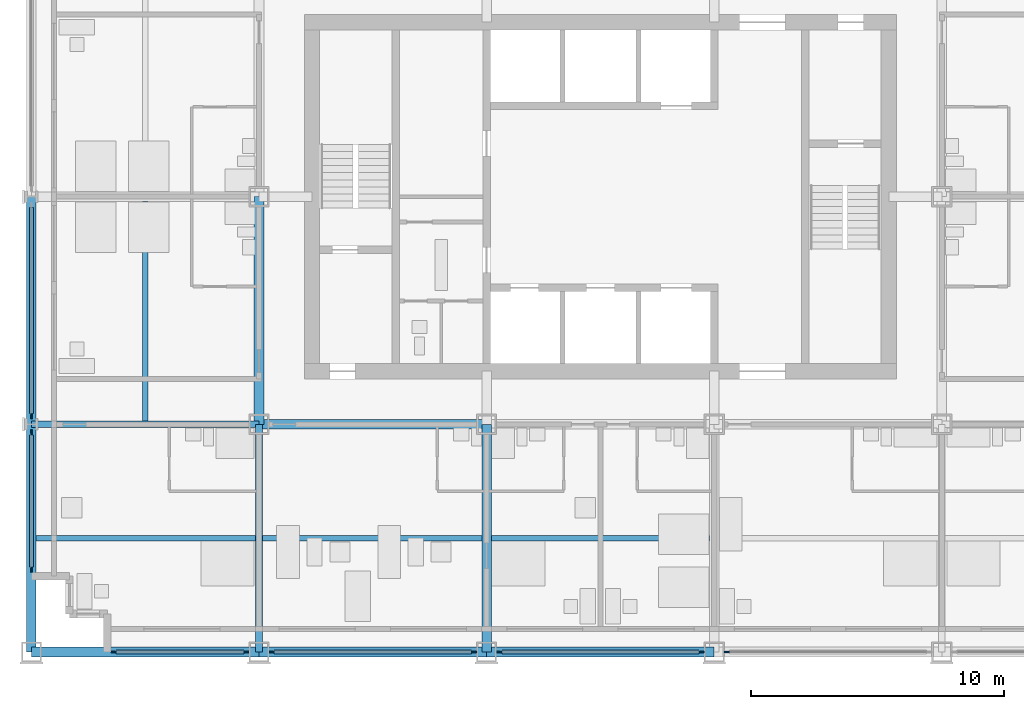
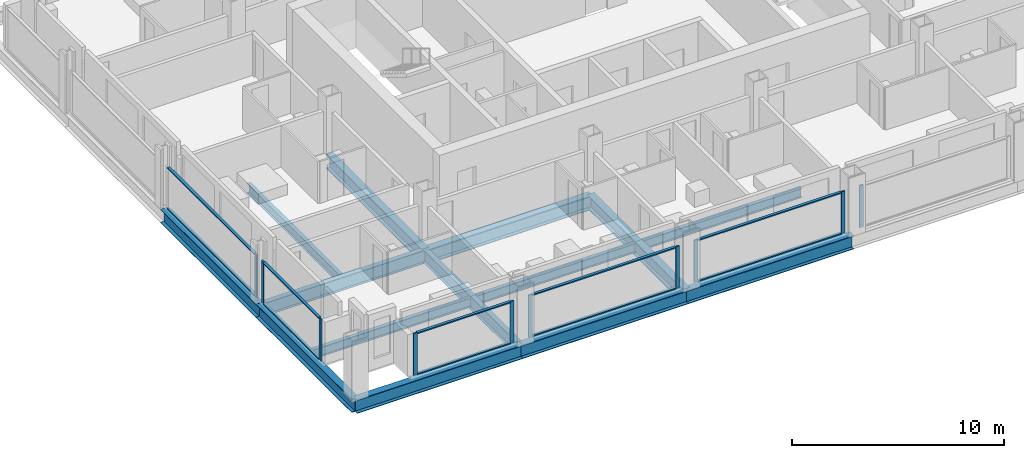
# One storey, part 2 of 16: 20 members, 14 beams, 6 elements without a shape of their own.
"""IFC4 building model written with IfcOpenShell, lengths in metres."""

from ifc_helpers import new_model, si_unit, direction, frame, origin, origin_2d, place, context, subcontext, project, spatial, rectangle, i_section, extrude, material, material_profile, profile_set, type_object, element, aggregate, save


model = new_model("IFC4")

# Units and contexts
model_context = context("Model", 3, precision=1e-05, world=origin(), true_north=direction((0.0, 1.0)))
body_context = subcontext(model_context, "Body", "Model", "MODEL_VIEW")
ifc_project = project(units=[si_unit("LENGTHUNIT", "METRE"), si_unit("AREAUNIT", "SQUARE_METRE"), si_unit("VOLUMEUNIT", "CUBIC_METRE"), si_unit("PLANEANGLEUNIT", "RADIAN"), si_unit("MASSUNIT", "GRAM", prefix="KILO")], contexts=[model_context])

# Site, building, storey
site_placement = place(None, origin())
site = spatial("IfcSite", under=ifc_project, at=site_placement, CompositionType="ELEMENT")
building_placement = place(site_placement, origin())
building = spatial("IfcBuilding", under=site, at=building_placement, Name="Loomwork Tower", CompositionType="ELEMENT")
storey_placement = place(building_placement, frame((0.0, 0.0, 128.199951171875)))
storey = spatial("IfcBuildingStorey", under=building, at=storey_placement, Name="L34", CompositionType="ELEMENT", Elevation=128.199951171875)

# Beams
ifc_material_1 = material(Name="Steel ASTM A992", Category="steel")
ifc_material_profile_1 = material_profile(ifc_material_1, i_section(OverallWidth=0.383544921875, OverallDepth=0.794921875, WebThickness=0.02099609375, FlangeThickness=0.0380859375, at=origin_2d()), Name="W30x235")
ifc_profile_set_1 = profile_set([ifc_material_profile_1], Name="Steel ASTM A992")
beam_type_1 = type_object("IfcBeamType", Name="CORE FLANK GIRDER W30x235", PredefinedType="BEAM", material=ifc_profile_set_1)
for number, where, z_axis, x_axis, name in (
    (1, (9.0, 9.0, -0.597412109375), (1.0, 0.0, 0.0), (0.0, 1.0, 0.0), "Core Flank Girder E/3-E/4 L34"),
    (2, (9.0, 9.0, -0.597412109375), (0.0, 1.0, 0.0), (-1.0, 0.0, 0.0), "Core Flank Girder E/3-F/3 L34"),
    (3, (18.0, 0.0, -0.597412109375), (0.0, 1.0, 0.0), (-1.0, 0.0, 0.0), "Core Flank Girder D/4-E/4 L34"),
):
    element("IfcBeam", number, at=place(storey_placement, frame(where, z_axis=z_axis, x_axis=x_axis)), inside=storey, type_object=beam_type_1, Name=name, PredefinedType="BEAM", context=body_context, shape_type="SweptSolid", body=[
        extrude(i_section(OverallWidth=0.383544921875, OverallDepth=0.794921875, WebThickness=0.02099609375, FlangeThickness=0.0380859375, at=origin_2d()), origin(), (0.0, 0.0, 1.0), 9.0),
    ])
ifc_material_2 = material(Name="Steel ASTM A992", Category="steel")
ifc_material_profile_2 = material_profile(ifc_material_2, i_section(OverallWidth=0.2666015625, OverallDepth=0.761962890625, WebThickness=0.014404296875, FlangeThickness=0.021484375, at=origin_2d()), Name="W30x116")
ifc_profile_set_2 = profile_set([ifc_material_profile_2], Name="Steel ASTM A992")
beam_type_2 = type_object("IfcBeamType", Name="FLOOR GIRDER W30x116", PredefinedType="BEAM", material=ifc_profile_set_2)
for number, where, z_axis, x_axis, name in (
    (4, (0.0, 9.0, -0.5810546875), (1.0, 0.0, 0.0), (0.0, 1.0, 0.0), "Floor Girder E/2-E/3 L34"),
    (5, (9.0, 0.0, -0.5810546875), (0.0, 1.0, 0.0), (-1.0, 0.0, 0.0), "Floor Girder D/3-E/3 L34"),
):
    element("IfcBeam", number, at=place(storey_placement, frame(where, z_axis=z_axis, x_axis=x_axis)), inside=storey, type_object=beam_type_2, Name=name, PredefinedType="BEAM", context=body_context, shape_type="SweptSolid", body=[
        extrude(i_section(OverallWidth=0.2666015625, OverallDepth=0.761962890625, WebThickness=0.014404296875, FlangeThickness=0.021484375, at=origin_2d()), origin(), (0.0, 0.0, 1.0), 9.0),
    ])
ifc_material_3 = material(Name="Steel ASTM A992", Category="steel")
ifc_material_profile_3 = material_profile(ifc_material_3, i_section(OverallWidth=0.2109375, OverallDepth=0.53857421875, WebThickness=0.011474609375, FlangeThickness=0.018798828125, at=origin_2d()), Name="W21x73")
ifc_profile_set_3 = profile_set([ifc_material_profile_3], Name="Steel ASTM A992")
beam_type_3 = type_object("IfcBeamType", Name="FLOOR JOIST W21x73", PredefinedType="JOIST", material=ifc_profile_set_3)
beam_1_placement = place(storey_placement, frame((0.18994140625, 4.5, -0.46923828125), z_axis=(1.0, 0.0, 0.0), x_axis=(0.0, 1.0, 0.0)))
element("IfcBeam", 6, at=beam_1_placement, inside=storey, type_object=beam_type_3, Name="Floor Joist 0.000,4.500-9.000,4.500 L34", PredefinedType="JOIST", context=body_context, shape_type="SweptSolid", body=[
    extrude(i_section(OverallWidth=0.2109375, OverallDepth=0.53857421875, WebThickness=0.011474609375, FlangeThickness=0.018798828125, at=origin_2d()), origin(), (0.0, 0.0, 1.0), 8.677001953125),
])
for number, where, z_axis, x_axis, name in (
    (7, (4.5, 9.133056640625, -0.46923828125), (0.0, 1.0, 0.0), (-1.0, 0.0, 0.0), "Floor Joist 4.500,9.000-4.500,18.000 L34"),
    (8, (9.133056640625, 4.5, -0.46923828125), (1.0, 0.0, 0.0), (0.0, 1.0, 0.0), "Floor Joist 9.000,4.500-18.000,4.500 L34"),
):
    element("IfcBeam", number, at=place(storey_placement, frame(where, z_axis=z_axis, x_axis=x_axis)), inside=storey, type_object=beam_type_3, Name=name, PredefinedType="JOIST", context=body_context, shape_type="SweptSolid", body=[
        extrude(i_section(OverallWidth=0.2109375, OverallDepth=0.53857421875, WebThickness=0.011474609375, FlangeThickness=0.018798828125, at=origin_2d()), origin(), (0.0, 0.0, 1.0), 8.676025390625),
    ])
beam_2_placement = place(storey_placement, frame((18.19091796875, 4.5, -0.46923828125), z_axis=(1.0, 0.0, 0.0), x_axis=(0.0, 1.0, 0.0)))
element("IfcBeam", 9, at=beam_2_placement, inside=storey, type_object=beam_type_3, Name="Floor Joist 18.000,4.500-27.000,4.500 L34", PredefinedType="JOIST", context=body_context, shape_type="SweptSolid", body=[
    extrude(i_section(OverallWidth=0.2109375, OverallDepth=0.53857421875, WebThickness=0.011474609375, FlangeThickness=0.018798828125, at=origin_2d()), origin(), (0.0, 0.0, 1.0), 8.6181640625),
])

# Curtain wall, members
ifc_material_4 = material(Name="Aluminium curtain wall frame", Category="aluminium")
curtain_wall_type = type_object("IfcCurtainWallType", Name="Outer skin glazing hotel", PredefinedType="NOTDEFINED", material=ifc_material_4)
curtain_wall_1_placement = place(storey_placement, origin())
curtain_wall_1 = element("IfcCurtainWall", 10, at=curtain_wall_1_placement, inside=storey, type_object=curtain_wall_type, Name="Outer skin glazing hotel cw/S-0", PredefinedType="NOTDEFINED")
ifc_material_5 = material(Name="Aluminium curtain wall frame", Category="aluminium")
ifc_material_profile_4 = material_profile(ifc_material_5, rectangle(XDim=0.06494140625, YDim=0.199951171875, at=origin_2d()), Name="AL 65x200")
ifc_profile_set_4 = profile_set([ifc_material_profile_4], Name="Aluminium curtain wall frame")
member_type_1 = type_object("IfcMemberType", Name="Outer skin glazing hotel mullion", PredefinedType="MULLION", material=ifc_profile_set_4)
member_1_placement = place(storey_placement, frame((3.25, 0.0, 0.0), z_axis=(0.0, 0.0, 1.0), x_axis=(0.0, 1.0, 0.0)))
member_1 = element("IfcMember", 11, at=member_1_placement, type_object=member_type_1, Name="CW1 mullion 1", PredefinedType="MULLION", context=body_context, shape_type="SweptSolid", body=[
    extrude(rectangle(XDim=0.06494140625, YDim=0.199951171875, at=origin_2d()), origin(), (0.0, 0.0, 1.0), 2.420166015625),
])
member_2_placement = place(storey_placement, frame((8.5, 0.0, 0.0), z_axis=(0.0, 0.0, 1.0), x_axis=(0.0, 1.0, 0.0)))
member_2 = element("IfcMember", 12, at=member_2_placement, type_object=member_type_1, Name="CW1 mullion 2", PredefinedType="MULLION", context=body_context, shape_type="SweptSolid", body=[
    extrude(rectangle(XDim=0.06494140625, YDim=0.199951171875, at=origin_2d()), origin(), (0.0, 0.0, 1.0), 2.420166015625),
])

curtain_wall_2_placement = place(storey_placement, origin())
curtain_wall_2 = element("IfcCurtainWall", 13, at=curtain_wall_2_placement, inside=storey, type_object=curtain_wall_type, Name="Outer skin glazing hotel cw/S-9", PredefinedType="NOTDEFINED")
member_3_placement = place(storey_placement, frame((9.5, 0.0, 0.0), z_axis=(0.0, 0.0, 1.0), x_axis=(0.0, 1.0, 0.0)))
member_3 = element("IfcMember", 14, at=member_3_placement, type_object=member_type_1, Name="CW1 mullion 1", PredefinedType="MULLION", context=body_context, shape_type="SweptSolid", body=[
    extrude(rectangle(XDim=0.06494140625, YDim=0.199951171875, at=origin_2d()), origin(), (0.0, 0.0, 1.0), 2.420166015625),
])
member_4_placement = place(storey_placement, frame((17.5, 0.0, 0.0), z_axis=(0.0, 0.0, 1.0), x_axis=(0.0, 1.0, 0.0)))
member_4 = element("IfcMember", 15, at=member_4_placement, type_object=member_type_1, Name="CW1 mullion 2", PredefinedType="MULLION", context=body_context, shape_type="SweptSolid", body=[
    extrude(rectangle(XDim=0.06494140625, YDim=0.199951171875, at=origin_2d()), origin(), (0.0, 0.0, 1.0), 2.420166015625),
])

curtain_wall_3_placement = place(storey_placement, origin())
curtain_wall_3 = element("IfcCurtainWall", 16, at=curtain_wall_3_placement, inside=storey, type_object=curtain_wall_type, Name="Outer skin glazing hotel cw/S-18", PredefinedType="NOTDEFINED")
member_5_placement = place(storey_placement, frame((18.5, 0.0, 0.0), z_axis=(0.0, 0.0, 1.0), x_axis=(0.0, 1.0, 0.0)))
member_5 = element("IfcMember", 17, at=member_5_placement, type_object=member_type_1, Name="CW1 mullion 1", PredefinedType="MULLION", context=body_context, shape_type="SweptSolid", body=[
    extrude(rectangle(XDim=0.06494140625, YDim=0.199951171875, at=origin_2d()), origin(), (0.0, 0.0, 1.0), 2.420166015625),
])
member_6_placement = place(storey_placement, frame((26.5, 0.0, 0.0), z_axis=(0.0, 0.0, 1.0), x_axis=(0.0, 1.0, 0.0)))
member_6 = element("IfcMember", 18, at=member_6_placement, type_object=member_type_1, Name="CW1 mullion 2", PredefinedType="MULLION", context=body_context, shape_type="SweptSolid", body=[
    extrude(rectangle(XDim=0.06494140625, YDim=0.199951171875, at=origin_2d()), origin(), (0.0, 0.0, 1.0), 2.420166015625),
])

# Curtain wall, member
curtain_wall_4_placement = place(storey_placement, origin())
curtain_wall_4 = element("IfcCurtainWall", 19, at=curtain_wall_4_placement, inside=storey, type_object=curtain_wall_type, Name="Outer skin glazing hotel cw/S-27", PredefinedType="NOTDEFINED")
member_7_placement = place(storey_placement, frame((27.5, 0.0, 0.0), z_axis=(0.0, 0.0, 1.0), x_axis=(0.0, 1.0, 0.0)))
member_7 = element("IfcMember", 20, at=member_7_placement, type_object=member_type_1, Name="CW1 mullion 1", PredefinedType="MULLION", context=body_context, shape_type="SweptSolid", body=[
    extrude(rectangle(XDim=0.06494140625, YDim=0.199951171875, at=origin_2d()), origin(), (0.0, 0.0, 1.0), 2.420166015625),
])
aggregate(curtain_wall_4, [member_7])

# Curtain wall, members
curtain_wall_5_placement = place(storey_placement, origin())
curtain_wall_5 = element("IfcCurtainWall", 21, at=curtain_wall_5_placement, inside=storey, type_object=curtain_wall_type, Name="Outer skin glazing hotel cw/W-0", PredefinedType="NOTDEFINED")
member_8_placement = place(storey_placement, frame((0.0, 8.678955078125, 0.0), z_axis=(0.0, 0.0, 1.0), x_axis=(1.0, 0.0, 0.0)))
member_8 = element("IfcMember", 22, at=member_8_placement, type_object=member_type_1, Name="CW1 mullion 1", PredefinedType="MULLION", context=body_context, shape_type="SweptSolid", body=[
    extrude(rectangle(XDim=0.06494140625, YDim=0.199951171875, at=origin_2d()), origin(), (0.0, 0.0, 1.0), 2.420166015625),
])
member_9_placement = place(storey_placement, frame((0.0, 3.25, 0.0), z_axis=(0.0, 0.0, 1.0), x_axis=(1.0, 0.0, 0.0)))
member_9 = element("IfcMember", 23, at=member_9_placement, type_object=member_type_1, Name="CW1 mullion 2", PredefinedType="MULLION", context=body_context, shape_type="SweptSolid", body=[
    extrude(rectangle(XDim=0.06494140625, YDim=0.199951171875, at=origin_2d()), origin(), (0.0, 0.0, 1.0), 2.420166015625),
])

# Curtain wall, member
curtain_wall_6_placement = place(storey_placement, origin())
curtain_wall_6 = element("IfcCurtainWall", 24, at=curtain_wall_6_placement, inside=storey, type_object=curtain_wall_type, Name="Outer skin glazing hotel cw/W-9", PredefinedType="NOTDEFINED")
member_10_placement = place(storey_placement, frame((0.0, 9.321044921875, 0.0), z_axis=(0.0, 0.0, 1.0), x_axis=(1.0, 0.0, 0.0)))
member_10 = element("IfcMember", 25, at=member_10_placement, type_object=member_type_1, Name="CW1 mullion 2", PredefinedType="MULLION", context=body_context, shape_type="SweptSolid", body=[
    extrude(rectangle(XDim=0.06494140625, YDim=0.199951171875, at=origin_2d()), origin(), (0.0, 0.0, 1.0), 2.420166015625),
])

# Member
ifc_material_6 = material(Name="Aluminium curtain wall frame", Category="aluminium")
ifc_material_profile_5 = material_profile(ifc_material_6, rectangle(XDim=0.14990234375, YDim=0.06494140625, at=origin_2d()), Name="AL 65x150")
ifc_profile_set_5 = profile_set([ifc_material_profile_5], Name="Aluminium curtain wall frame")
member_type_2 = type_object("IfcMemberType", Name="Outer skin glazing hotel transom", PredefinedType="USERDEFINED", material=ifc_profile_set_5)
member_11_placement = place(storey_placement, frame((3.35009765625, 0.0, 0.032470703125), z_axis=(1.0, 0.0, 0.0), x_axis=(0.0, 1.0, 0.0)))
member_11 = element("IfcMember", 26, at=member_11_placement, type_object=member_type_2, Name="CW1 transom 1.1", ObjectType="TRANSOM", PredefinedType="USERDEFINED", context=body_context, shape_type="SweptSolid", body=[
    extrude(rectangle(XDim=0.14990234375, YDim=0.06494140625, at=origin_2d()), origin(), (0.0, 0.0, 1.0), 5.0498046875),
])

member_12_placement = place(storey_placement, frame((3.35009765625, 0.0, 2.3876953125), z_axis=(1.0, 0.0, 0.0), x_axis=(0.0, 1.0, 0.0)))
member_12 = element("IfcMember", 27, at=member_12_placement, type_object=member_type_2, Name="CW1 transom 1.2", ObjectType="TRANSOM", PredefinedType="USERDEFINED", context=body_context, shape_type="SweptSolid", body=[
    extrude(rectangle(XDim=0.14990234375, YDim=0.06494140625, at=origin_2d()), origin(), (0.0, 0.0, 1.0), 5.0498046875),
])

aggregate(curtain_wall_1, [member_1, member_2, member_11, member_12])

member_13_placement = place(storey_placement, frame((9.60009765625, 0.0, 0.032470703125), z_axis=(1.0, 0.0, 0.0), x_axis=(0.0, 1.0, 0.0)))
member_13 = element("IfcMember", 28, at=member_13_placement, type_object=member_type_2, Name="CW1 transom 1.1", ObjectType="TRANSOM", PredefinedType="USERDEFINED", context=body_context, shape_type="SweptSolid", body=[
    extrude(rectangle(XDim=0.14990234375, YDim=0.06494140625, at=origin_2d()), origin(), (0.0, 0.0, 1.0), 7.7998046875),
])

member_14_placement = place(storey_placement, frame((9.60009765625, 0.0, 2.3876953125), z_axis=(1.0, 0.0, 0.0), x_axis=(0.0, 1.0, 0.0)))
member_14 = element("IfcMember", 29, at=member_14_placement, type_object=member_type_2, Name="CW1 transom 1.2", ObjectType="TRANSOM", PredefinedType="USERDEFINED", context=body_context, shape_type="SweptSolid", body=[
    extrude(rectangle(XDim=0.14990234375, YDim=0.06494140625, at=origin_2d()), origin(), (0.0, 0.0, 1.0), 7.7998046875),
])

aggregate(curtain_wall_2, [member_3, member_4, member_13, member_14])

member_15_placement = place(storey_placement, frame((18.60009765625, 0.0, 0.032470703125), z_axis=(1.0, 0.0, 0.0), x_axis=(0.0, 1.0, 0.0)))
member_15 = element("IfcMember", 30, at=member_15_placement, type_object=member_type_2, Name="CW1 transom 1.1", ObjectType="TRANSOM", PredefinedType="USERDEFINED", context=body_context, shape_type="SweptSolid", body=[
    extrude(rectangle(XDim=0.14990234375, YDim=0.06494140625, at=origin_2d()), origin(), (0.0, 0.0, 1.0), 7.7998046875),
])

member_16_placement = place(storey_placement, frame((18.60009765625, 0.0, 2.3876953125), z_axis=(1.0, 0.0, 0.0), x_axis=(0.0, 1.0, 0.0)))
member_16 = element("IfcMember", 31, at=member_16_placement, type_object=member_type_2, Name="CW1 transom 1.2", ObjectType="TRANSOM", PredefinedType="USERDEFINED", context=body_context, shape_type="SweptSolid", body=[
    extrude(rectangle(XDim=0.14990234375, YDim=0.06494140625, at=origin_2d()), origin(), (0.0, 0.0, 1.0), 7.7998046875),
])

aggregate(curtain_wall_3, [member_5, member_6, member_15, member_16])

member_17_placement = place(storey_placement, frame((0.0, 8.5791015625, 0.032470703125), z_axis=(0.0, -1.0, 0.0), x_axis=(1.0, 0.0, 0.0)))
member_17 = element("IfcMember", 32, at=member_17_placement, type_object=member_type_2, Name="CW1 transom 1.1", ObjectType="TRANSOM", PredefinedType="USERDEFINED", context=body_context, shape_type="SweptSolid", body=[
    extrude(rectangle(XDim=0.14990234375, YDim=0.06494140625, at=origin_2d()), origin(), (0.0, 0.0, 1.0), 5.22900390625),
])

member_18_placement = place(storey_placement, frame((0.0, 8.5791015625, 2.3876953125), z_axis=(0.0, -1.0, 0.0), x_axis=(1.0, 0.0, 0.0)))
member_18 = element("IfcMember", 33, at=member_18_placement, type_object=member_type_2, Name="CW1 transom 1.2", ObjectType="TRANSOM", PredefinedType="USERDEFINED", context=body_context, shape_type="SweptSolid", body=[
    extrude(rectangle(XDim=0.14990234375, YDim=0.06494140625, at=origin_2d()), origin(), (0.0, 0.0, 1.0), 5.22900390625),
])

aggregate(curtain_wall_5, [member_8, member_9, member_17, member_18])

member_19_placement = place(storey_placement, frame((0.0, 17.5791015625, 0.032470703125), z_axis=(0.0, -1.0, 0.0), x_axis=(1.0, 0.0, 0.0)))
member_19 = element("IfcMember", 34, at=member_19_placement, type_object=member_type_2, Name="CW1 transom 1.1", ObjectType="TRANSOM", PredefinedType="USERDEFINED", context=body_context, shape_type="SweptSolid", body=[
    extrude(rectangle(XDim=0.14990234375, YDim=0.06494140625, at=origin_2d()), origin(), (0.0, 0.0, 1.0), 8.158203125),
])

member_20_placement = place(storey_placement, frame((0.0, 17.5791015625, 2.3876953125), z_axis=(0.0, -1.0, 0.0), x_axis=(1.0, 0.0, 0.0)))
member_20 = element("IfcMember", 35, at=member_20_placement, type_object=member_type_2, Name="CW1 transom 1.2", ObjectType="TRANSOM", PredefinedType="USERDEFINED", context=body_context, shape_type="SweptSolid", body=[
    extrude(rectangle(XDim=0.14990234375, YDim=0.06494140625, at=origin_2d()), origin(), (0.0, 0.0, 1.0), 8.158203125),
])

aggregate(curtain_wall_6, [member_10, member_19, member_20])

# Beams
ifc_material_7 = material(Name="Steel ASTM A992", Category="steel")
ifc_material_profile_6 = material_profile(ifc_material_7, i_section(OverallWidth=0.381103515625, OverallDepth=0.77978515625, WebThickness=0.01806640625, FlangeThickness=0.0302734375, at=origin_2d()), Name="W30x191")
ifc_profile_set_6 = profile_set([ifc_material_profile_6], Name="Steel ASTM A992")
beam_type_4 = type_object("IfcBeamType", Name="SPANDREL GIRDER W30x191", PredefinedType="SPANDREL", material=ifc_profile_set_6)
for number, where, z_axis, x_axis, name in (
    (36, (0.0, 0.0, -0.58984375), (1.0, 0.0, 0.0), (0.0, 1.0, 0.0), "Spandrel Girder D/2-D/3 L34"),
    (37, (9.0, 0.0, -0.58984375), (1.0, 0.0, 0.0), (0.0, 1.0, 0.0), "Spandrel Girder D/3-D/4 L34"),
    (38, (18.0, 0.0, -0.58984375), (1.0, 0.0, 0.0), (0.0, 1.0, 0.0), "Spandrel Girder D/4-D/5 L34"),
    (39, (0.0, 0.0, -0.58984375), (0.0, 1.0, 0.0), (-1.0, 0.0, 0.0), "Spandrel Girder D/2-E/2 L34"),
    (40, (0.0, 9.0, -0.58984375), (0.0, 1.0, 0.0), (-1.0, 0.0, 0.0), "Spandrel Girder E/2-F/2 L34"),
):
    element("IfcBeam", number, at=place(storey_placement, frame(where, z_axis=z_axis, x_axis=x_axis)), inside=storey, type_object=beam_type_4, Name=name, PredefinedType="SPANDREL", context=body_context, shape_type="SweptSolid", body=[
        extrude(i_section(OverallWidth=0.381103515625, OverallDepth=0.77978515625, WebThickness=0.01806640625, FlangeThickness=0.0302734375, at=origin_2d()), origin(), (0.0, 0.0, 1.0), 9.0),
    ])

save(model, "model.ifc")
